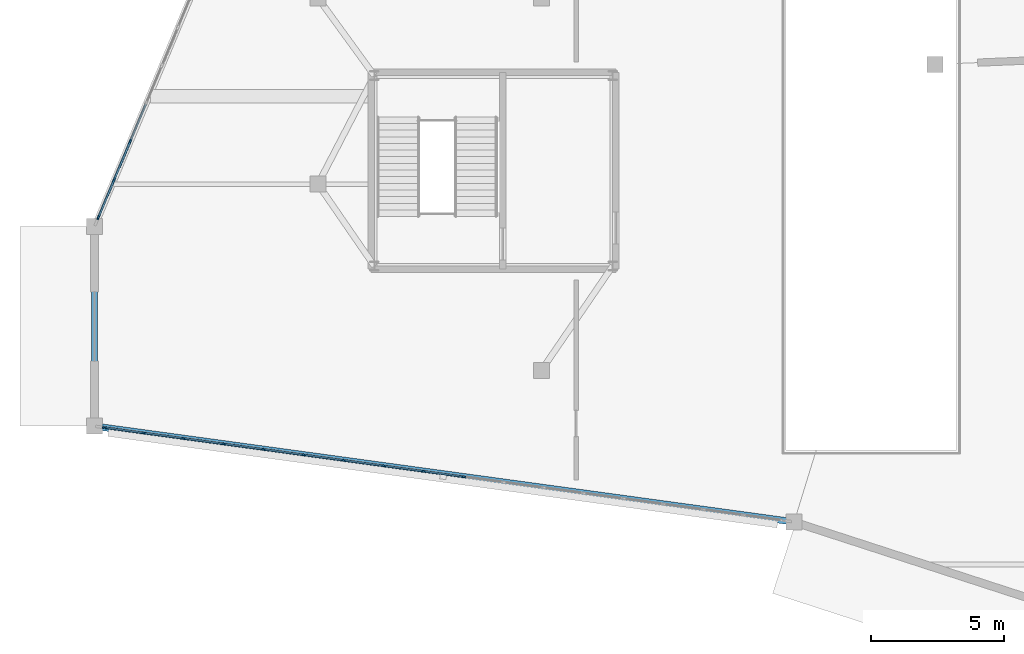
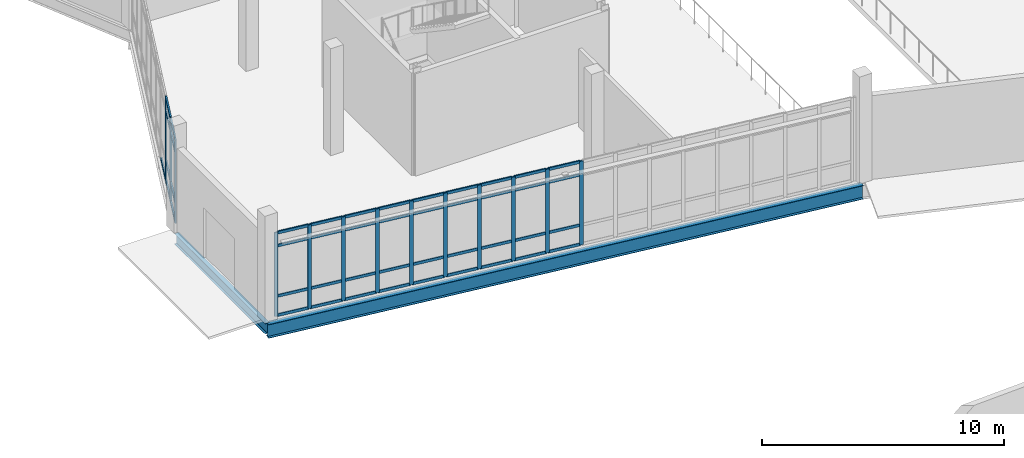
# One storey, part 43 of 113: 58 members, 2 beams, 2 elements without a shape of their own.
"""IFC4 building model written with IfcOpenShell, lengths in metres."""

from ifc_helpers import new_model, si_unit, direction, frame, origin, origin_2d, place, context, subcontext, project, spatial, rectangle, i_section, extrude, material, material_profile, profile_set, type_object, element, aggregate, save


model = new_model("IFC4")

# Units and contexts
model_context = context("Model", 3, precision=1e-05, world=origin(), true_north=direction((0.0, 1.0)))
body_context = subcontext(model_context, "Body", "Model", "MODEL_VIEW")
ifc_project = project(units=[si_unit("LENGTHUNIT", "METRE"), si_unit("AREAUNIT", "SQUARE_METRE"), si_unit("VOLUMEUNIT", "CUBIC_METRE"), si_unit("PLANEANGLEUNIT", "RADIAN"), si_unit("MASSUNIT", "GRAM", prefix="KILO")], contexts=[model_context])

# Site, building, storey
site_placement = place(None, origin())
site = spatial("IfcSite", under=ifc_project, at=site_placement, CompositionType="ELEMENT")
building_placement = place(site_placement, origin())
building = spatial("IfcBuilding", under=site, at=building_placement, Name="Tameran Prism Museum", CompositionType="ELEMENT")
storey_placement = place(building_placement, origin())
storey = spatial("IfcBuildingStorey", under=building, at=storey_placement, Name="L00", CompositionType="ELEMENT", Elevation=0.0)

# Beams
ifc_material_1 = material(Name="Steel Grade 300PLUS (300 MPa)", Category="steel")
ifc_material_profile_1 = material_profile(ifc_material_1, i_section(OverallWidth=0.208984375, OverallDepth=0.528076171875, WebThickness=0.009521484375, FlangeThickness=0.01318359375, FilletRadius=0.013916015625, at=origin_2d()))
ifc_profile_set_1 = profile_set([ifc_material_profile_1])
beam_type_1 = type_object("IfcBeamType", Name="BM-SP530B", PredefinedType="SPANDREL", material=ifc_profile_set_1)
beam_1_placement = place(storey_placement, frame((0.0, 75.39990234375, -0.52392578125), z_axis=(0.0, -1.0, 0.0), x_axis=(1.0, 0.0, 0.0)))
element("IfcBeam", 1, at=beam_1_placement, inside=storey, type_object=beam_type_1, Name="Perimeter Spandrel SP-0086", PredefinedType="SPANDREL", context=body_context, shape_type="SweptSolid", body=[
    extrude(i_section(OverallWidth=0.208984375, OverallDepth=0.528076171875, WebThickness=0.009521484375, FlangeThickness=0.01318359375, FilletRadius=0.013916015625, at=origin_2d()), origin(), (0.0, 0.0, 1.0), 7.5),
])
ifc_material_2 = material(Name="Steel Grade 350 (350 MPa)", Category="steel")
ifc_material_profile_2 = material_profile(ifc_material_2, i_section(OverallWidth=0.25, OverallDepth=0.699951171875, WebThickness=0.010009765625, FlangeThickness=0.02001953125, at=origin_2d()))
ifc_profile_set_2 = profile_set([ifc_material_profile_2])
beam_type_2 = type_object("IfcBeamType", Name="BM-SP700", PredefinedType="SPANDREL", material=ifc_profile_set_2)
beam_2_placement = place(storey_placement, frame((0.0, 67.89990234375, -0.610107421875), z_axis=(0.990762043415, -0.13561184804, 0.0), x_axis=(0.13561184804, 0.990762043415, 0.0)))
element("IfcBeam", 2, at=beam_2_placement, inside=storey, type_object=beam_type_2, Name="Perimeter Spandrel SP-0087", PredefinedType="SPANDREL", context=body_context, shape_type="SweptSolid", body=[
    extrude(i_section(OverallWidth=0.25, OverallDepth=0.699951171875, WebThickness=0.010009765625, FlangeThickness=0.02001953125, at=origin_2d()), origin(), (0.0, 0.0, 1.0), 26.545166015625),
])

# Curtain wall, members
ifc_material_3 = material(Name="Anodised Aluminium 6063-T6 and Cyclone Solar Glass", Category="aluminium")
curtain_wall_type_1 = type_object("IfcCurtainWallType", Name="CW-FAC-2579x422", PredefinedType="USERDEFINED", material=ifc_material_3)
curtain_wall_1_placement = place(storey_placement, origin())
curtain_wall_1 = element("IfcCurtainWall", 3, at=curtain_wall_1_placement, inside=storey, type_object=curtain_wall_type_1, Name="Unitised Curtain Wall CW-051", ObjectType="UNITISED CURTAIN WALL", PredefinedType="USERDEFINED")
ifc_material_4 = material(Name="Anodised Aluminium Alloy 6063-T6", Category="aluminium")
ifc_material_profile_3 = material_profile(ifc_material_4, rectangle(XDim=0.06494140625, YDim=0.159912109375, at=origin_2d()))
ifc_profile_set_3 = profile_set([ifc_material_profile_3])
member_type_1 = type_object("IfcMemberType", Name="CW-MUL-A", PredefinedType="MULLION", material=ifc_profile_set_3)
member_1_placement = place(storey_placement, frame((13.871826171875, 66.001220703125, 0.0), z_axis=(0.0, 0.0, 1.0), x_axis=(-0.135658330466, -0.990755679961, 0.0)))
member_1 = element("IfcMember", 4, at=member_1_placement, type_object=member_type_1, Name="CW-051 mullion 9", PredefinedType="MULLION", context=body_context, shape_type="SweptSolid", body=[
    extrude(rectangle(XDim=0.06494140625, YDim=0.159912109375, at=origin_2d()), origin(), (0.0, 0.0, 1.0), 4.219970703125),
])
member_2_placement = place(storey_placement, frame((12.369140625, 66.206787109375, 0.0), z_axis=(0.0, 0.0, 1.0), x_axis=(-0.135658330466, -0.990755679961, 0.0)))
member_2 = element("IfcMember", 5, at=member_2_placement, type_object=member_type_1, Name="CW-051 mullion 10", PredefinedType="MULLION", context=body_context, shape_type="SweptSolid", body=[
    extrude(rectangle(XDim=0.06494140625, YDim=0.159912109375, at=origin_2d()), origin(), (0.0, 0.0, 1.0), 4.219970703125),
])
member_3_placement = place(storey_placement, frame((10.866455078125, 66.41259765625, 0.0), z_axis=(0.0, 0.0, 1.0), x_axis=(-0.135658330466, -0.990755679961, 0.0)))
member_3 = element("IfcMember", 6, at=member_3_placement, type_object=member_type_1, Name="CW-051 mullion 11", PredefinedType="MULLION", context=body_context, shape_type="SweptSolid", body=[
    extrude(rectangle(XDim=0.06494140625, YDim=0.159912109375, at=origin_2d()), origin(), (0.0, 0.0, 1.0), 4.219970703125),
])
member_4_placement = place(storey_placement, frame((9.363525390625, 66.618408203125, 0.0), z_axis=(0.0, 0.0, 1.0), x_axis=(-0.135658330466, -0.990755679961, 0.0)))
member_4 = element("IfcMember", 7, at=member_4_placement, type_object=member_type_1, Name="CW-051 mullion 12", PredefinedType="MULLION", context=body_context, shape_type="SweptSolid", body=[
    extrude(rectangle(XDim=0.06494140625, YDim=0.159912109375, at=origin_2d()), origin(), (0.0, 0.0, 1.0), 4.219970703125),
])
member_5_placement = place(storey_placement, frame((7.86083984375, 66.82421875, 0.0), z_axis=(0.0, 0.0, 1.0), x_axis=(-0.135658330466, -0.990755679961, 0.0)))
member_5 = element("IfcMember", 8, at=member_5_placement, type_object=member_type_1, Name="CW-051 mullion 13", PredefinedType="MULLION", context=body_context, shape_type="SweptSolid", body=[
    extrude(rectangle(XDim=0.06494140625, YDim=0.159912109375, at=origin_2d()), origin(), (0.0, 0.0, 1.0), 4.219970703125),
])
member_6_placement = place(storey_placement, frame((6.358154296875, 67.030029296875, 0.0), z_axis=(0.0, 0.0, 1.0), x_axis=(-0.135658330466, -0.990755679961, 0.0)))
member_6 = element("IfcMember", 9, at=member_6_placement, type_object=member_type_1, Name="CW-051 mullion 14", PredefinedType="MULLION", context=body_context, shape_type="SweptSolid", body=[
    extrude(rectangle(XDim=0.06494140625, YDim=0.159912109375, at=origin_2d()), origin(), (0.0, 0.0, 1.0), 4.219970703125),
])
member_7_placement = place(storey_placement, frame((4.855224609375, 67.235595703125, 0.0), z_axis=(0.0, 0.0, 1.0), x_axis=(-0.135658330466, -0.990755679961, 0.0)))
member_7 = element("IfcMember", 10, at=member_7_placement, type_object=member_type_1, Name="CW-051 mullion 15", PredefinedType="MULLION", context=body_context, shape_type="SweptSolid", body=[
    extrude(rectangle(XDim=0.06494140625, YDim=0.159912109375, at=origin_2d()), origin(), (0.0, 0.0, 1.0), 4.219970703125),
])
member_8_placement = place(storey_placement, frame((3.3525390625, 67.44140625, 0.0), z_axis=(0.0, 0.0, 1.0), x_axis=(-0.135658330466, -0.990755679961, 0.0)))
member_8 = element("IfcMember", 11, at=member_8_placement, type_object=member_type_1, Name="CW-051 mullion 16", PredefinedType="MULLION", context=body_context, shape_type="SweptSolid", body=[
    extrude(rectangle(XDim=0.06494140625, YDim=0.159912109375, at=origin_2d()), origin(), (0.0, 0.0, 1.0), 4.219970703125),
])
member_9_placement = place(storey_placement, frame((1.849853515625, 67.647216796875, 0.0), z_axis=(0.0, 0.0, 1.0), x_axis=(-0.135658330466, -0.990755679961, 0.0)))
member_9 = element("IfcMember", 12, at=member_9_placement, type_object=member_type_1, Name="CW-051 mullion 17", PredefinedType="MULLION", context=body_context, shape_type="SweptSolid", body=[
    extrude(rectangle(XDim=0.06494140625, YDim=0.159912109375, at=origin_2d()), origin(), (0.0, 0.0, 1.0), 4.219970703125),
])
member_10_placement = place(storey_placement, frame((0.379150390625, 67.8486328125, 0.0), z_axis=(0.0, 0.0, 1.0), x_axis=(-0.135658330466, -0.990755679961, 0.0)))
member_10 = element("IfcMember", 13, at=member_10_placement, type_object=member_type_1, Name="CW-051 mullion 18", PredefinedType="MULLION", context=body_context, shape_type="SweptSolid", body=[
    extrude(rectangle(XDim=0.06494140625, YDim=0.159912109375, at=origin_2d()), origin(), (0.0, 0.0, 1.0), 4.219970703125),
])

ifc_material_5 = material(Name="Anodised Aluminium 6063-T6 and Cyclone Solar Glass", Category="aluminium")
curtain_wall_type_2 = type_object("IfcCurtainWallType", Name="CW-FAC-1399x422", PredefinedType="USERDEFINED", material=ifc_material_5)
curtain_wall_2_placement = place(storey_placement, origin())
curtain_wall_2 = element("IfcCurtainWall", 14, at=curtain_wall_2_placement, inside=storey, type_object=curtain_wall_type_2, Name="Unitised Curtain Wall CW-052", ObjectType="UNITISED CURTAIN WALL", PredefinedType="USERDEFINED")
ifc_material_6 = material(Name="Anodised Aluminium Alloy 6063-T6", Category="aluminium")
ifc_material_profile_4 = material_profile(ifc_material_6, rectangle(XDim=0.070068359375, YDim=0.179931640625, at=origin_2d()))
ifc_profile_set_4 = profile_set([ifc_material_profile_4])
member_type_2 = type_object("IfcMemberType", Name="CW-MUL-B", PredefinedType="MULLION", material=ifc_profile_set_4)
member_11_placement = place(storey_placement, frame((0.1484375, 75.75537109375, 0.0), z_axis=(0.0, 0.0, 1.0), x_axis=(-0.922251949595, 0.386589370609, 0.0)))
member_11 = element("IfcMember", 15, at=member_11_placement, type_object=member_type_2, Name="CW-052 mullion 1", PredefinedType="MULLION", context=body_context, shape_type="SweptSolid", body=[
    extrude(rectangle(XDim=0.070068359375, YDim=0.179931640625, at=origin_2d()), origin(), (0.0, 0.0, 1.0), 4.219970703125),
])
member_12_placement = place(storey_placement, frame((0.73583984375, 77.15625, 0.0), z_axis=(0.0, 0.0, 1.0), x_axis=(-0.922251949595, 0.386589370609, 0.0)))
member_12 = element("IfcMember", 16, at=member_12_placement, type_object=member_type_2, Name="CW-052 mullion 2", PredefinedType="MULLION", context=body_context, shape_type="SweptSolid", body=[
    extrude(rectangle(XDim=0.070068359375, YDim=0.179931640625, at=origin_2d()), origin(), (0.0, 0.0, 1.0), 4.219970703125),
])
member_13_placement = place(storey_placement, frame((1.336669921875, 78.58935546875, 0.0), z_axis=(0.0, 0.0, 1.0), x_axis=(-0.922251949595, 0.386589370609, 0.0)))
member_13 = element("IfcMember", 17, at=member_13_placement, type_object=member_type_2, Name="CW-052 mullion 3", PredefinedType="MULLION", context=body_context, shape_type="SweptSolid", body=[
    extrude(rectangle(XDim=0.070068359375, YDim=0.179931640625, at=origin_2d()), origin(), (0.0, 0.0, 1.0), 4.219970703125),
])

# Member
ifc_material_7 = material(Name="Anodised Aluminium Alloy 6063-T6", Category="aluminium")
ifc_material_profile_5 = material_profile(ifc_material_7, rectangle(XDim=0.06494140625, YDim=0.139892578125, at=origin_2d()))
ifc_profile_set_5 = profile_set([ifc_material_profile_5])
member_type_3 = type_object("IfcMemberType", Name="CW-TRN-A", PredefinedType="USERDEFINED", material=ifc_profile_set_5)
member_14_placement = place(storey_placement, frame((13.839599609375, 66.005615234375, 0.032470703125), z_axis=(-0.990769686746, 0.135555995165, 0.0), x_axis=(-0.135555995165, -0.990769686746, 0.0)))
member_14 = element("IfcMember", 18, at=member_14_placement, type_object=member_type_3, Name="CW-051 transom 9.1", ObjectType="TRANSOM", PredefinedType="USERDEFINED", context=body_context, shape_type="SweptSolid", body=[
    extrude(rectangle(XDim=0.06494140625, YDim=0.139892578125, at=origin_2d()), origin(), (0.0, 0.0, 1.0), 1.45166015625),
])

member_15_placement = place(storey_placement, frame((13.839599609375, 66.005615234375, 1.0), z_axis=(-0.990769686746, 0.135555995165, 0.0), x_axis=(-0.135555995165, -0.990769686746, 0.0)))
member_15 = element("IfcMember", 19, at=member_15_placement, type_object=member_type_3, Name="CW-051 transom 9.2", ObjectType="TRANSOM", PredefinedType="USERDEFINED", context=body_context, shape_type="SweptSolid", body=[
    extrude(rectangle(XDim=0.06494140625, YDim=0.139892578125, at=origin_2d()), origin(), (0.0, 0.0, 1.0), 1.45166015625),
])

member_16_placement = place(storey_placement, frame((13.839599609375, 66.005615234375, 3.5400390625), z_axis=(-0.990769686746, 0.135555995165, 0.0), x_axis=(-0.135555995165, -0.990769686746, 0.0)))
member_16 = element("IfcMember", 20, at=member_16_placement, type_object=member_type_3, Name="CW-051 transom 9.3", ObjectType="TRANSOM", PredefinedType="USERDEFINED", context=body_context, shape_type="SweptSolid", body=[
    extrude(rectangle(XDim=0.06494140625, YDim=0.139892578125, at=origin_2d()), origin(), (0.0, 0.0, 1.0), 1.45166015625),
])

member_17_placement = place(storey_placement, frame((13.839599609375, 66.005615234375, 4.1875), z_axis=(-0.990769686746, 0.135555995165, 0.0), x_axis=(-0.135555995165, -0.990769686746, 0.0)))
member_17 = element("IfcMember", 21, at=member_17_placement, type_object=member_type_3, Name="CW-051 transom 9.4", ObjectType="TRANSOM", PredefinedType="USERDEFINED", context=body_context, shape_type="SweptSolid", body=[
    extrude(rectangle(XDim=0.06494140625, YDim=0.139892578125, at=origin_2d()), origin(), (0.0, 0.0, 1.0), 1.45166015625),
])

member_18_placement = place(storey_placement, frame((12.3369140625, 66.211181640625, 0.032470703125), z_axis=(-0.990750182778, 0.135698472081, 0.0), x_axis=(-0.135698472081, -0.990750182778, 0.0)))
member_18 = element("IfcMember", 22, at=member_18_placement, type_object=member_type_3, Name="CW-051 transom 10.1", ObjectType="TRANSOM", PredefinedType="USERDEFINED", context=body_context, shape_type="SweptSolid", body=[
    extrude(rectangle(XDim=0.06494140625, YDim=0.139892578125, at=origin_2d()), origin(), (0.0, 0.0, 1.0), 1.451904296875),
])

member_19_placement = place(storey_placement, frame((12.3369140625, 66.211181640625, 1.0), z_axis=(-0.990750182778, 0.135698472081, 0.0), x_axis=(-0.135698472081, -0.990750182778, 0.0)))
member_19 = element("IfcMember", 23, at=member_19_placement, type_object=member_type_3, Name="CW-051 transom 10.2", ObjectType="TRANSOM", PredefinedType="USERDEFINED", context=body_context, shape_type="SweptSolid", body=[
    extrude(rectangle(XDim=0.06494140625, YDim=0.139892578125, at=origin_2d()), origin(), (0.0, 0.0, 1.0), 1.451904296875),
])

member_20_placement = place(storey_placement, frame((12.3369140625, 66.211181640625, 3.5400390625), z_axis=(-0.990750182778, 0.135698472081, 0.0), x_axis=(-0.135698472081, -0.990750182778, 0.0)))
member_20 = element("IfcMember", 24, at=member_20_placement, type_object=member_type_3, Name="CW-051 transom 10.3", ObjectType="TRANSOM", PredefinedType="USERDEFINED", context=body_context, shape_type="SweptSolid", body=[
    extrude(rectangle(XDim=0.06494140625, YDim=0.139892578125, at=origin_2d()), origin(), (0.0, 0.0, 1.0), 1.451904296875),
])

member_21_placement = place(storey_placement, frame((12.3369140625, 66.211181640625, 4.1875), z_axis=(-0.990750182778, 0.135698472081, 0.0), x_axis=(-0.135698472081, -0.990750182778, 0.0)))
member_21 = element("IfcMember", 25, at=member_21_placement, type_object=member_type_3, Name="CW-051 transom 10.4", ObjectType="TRANSOM", PredefinedType="USERDEFINED", context=body_context, shape_type="SweptSolid", body=[
    extrude(rectangle(XDim=0.06494140625, YDim=0.139892578125, at=origin_2d()), origin(), (0.0, 0.0, 1.0), 1.451904296875),
])

member_22_placement = place(storey_placement, frame((10.834228515625, 66.4169921875, 0.032470703125), z_axis=(-0.990750182778, 0.135698472081, 0.0), x_axis=(-0.135698472081, -0.990750182778, 0.0)))
member_22 = element("IfcMember", 26, at=member_22_placement, type_object=member_type_3, Name="CW-051 transom 11.1", ObjectType="TRANSOM", PredefinedType="USERDEFINED", context=body_context, shape_type="SweptSolid", body=[
    extrude(rectangle(XDim=0.06494140625, YDim=0.139892578125, at=origin_2d()), origin(), (0.0, 0.0, 1.0), 1.451904296875),
])

member_23_placement = place(storey_placement, frame((10.834228515625, 66.4169921875, 1.0), z_axis=(-0.990750182778, 0.135698472081, 0.0), x_axis=(-0.135698472081, -0.990750182778, 0.0)))
member_23 = element("IfcMember", 27, at=member_23_placement, type_object=member_type_3, Name="CW-051 transom 11.2", ObjectType="TRANSOM", PredefinedType="USERDEFINED", context=body_context, shape_type="SweptSolid", body=[
    extrude(rectangle(XDim=0.06494140625, YDim=0.139892578125, at=origin_2d()), origin(), (0.0, 0.0, 1.0), 1.451904296875),
])

member_24_placement = place(storey_placement, frame((10.834228515625, 66.4169921875, 3.5400390625), z_axis=(-0.990750182778, 0.135698472081, 0.0), x_axis=(-0.135698472081, -0.990750182778, 0.0)))
member_24 = element("IfcMember", 28, at=member_24_placement, type_object=member_type_3, Name="CW-051 transom 11.3", ObjectType="TRANSOM", PredefinedType="USERDEFINED", context=body_context, shape_type="SweptSolid", body=[
    extrude(rectangle(XDim=0.06494140625, YDim=0.139892578125, at=origin_2d()), origin(), (0.0, 0.0, 1.0), 1.451904296875),
])

member_25_placement = place(storey_placement, frame((10.834228515625, 66.4169921875, 4.1875), z_axis=(-0.990750182778, 0.135698472081, 0.0), x_axis=(-0.135698472081, -0.990750182778, 0.0)))
member_25 = element("IfcMember", 29, at=member_25_placement, type_object=member_type_3, Name="CW-051 transom 11.4", ObjectType="TRANSOM", PredefinedType="USERDEFINED", context=body_context, shape_type="SweptSolid", body=[
    extrude(rectangle(XDim=0.06494140625, YDim=0.139892578125, at=origin_2d()), origin(), (0.0, 0.0, 1.0), 1.451904296875),
])

member_26_placement = place(storey_placement, frame((9.331298828125, 66.622802734375, 0.032470703125), z_axis=(-0.990747085645, 0.135721082688, 0.0), x_axis=(-0.135721082688, -0.990747085645, 0.0)))
member_26 = element("IfcMember", 30, at=member_26_placement, type_object=member_type_3, Name="CW-051 transom 12.1", ObjectType="TRANSOM", PredefinedType="USERDEFINED", context=body_context, shape_type="SweptSolid", body=[
    extrude(rectangle(XDim=0.06494140625, YDim=0.139892578125, at=origin_2d()), origin(), (0.0, 0.0, 1.0), 1.45166015625),
])

member_27_placement = place(storey_placement, frame((9.331298828125, 66.622802734375, 1.0), z_axis=(-0.990747085645, 0.135721082688, 0.0), x_axis=(-0.135721082688, -0.990747085645, 0.0)))
member_27 = element("IfcMember", 31, at=member_27_placement, type_object=member_type_3, Name="CW-051 transom 12.2", ObjectType="TRANSOM", PredefinedType="USERDEFINED", context=body_context, shape_type="SweptSolid", body=[
    extrude(rectangle(XDim=0.06494140625, YDim=0.139892578125, at=origin_2d()), origin(), (0.0, 0.0, 1.0), 1.45166015625),
])

member_28_placement = place(storey_placement, frame((9.331298828125, 66.622802734375, 3.5400390625), z_axis=(-0.990747085645, 0.135721082688, 0.0), x_axis=(-0.135721082688, -0.990747085645, 0.0)))
member_28 = element("IfcMember", 32, at=member_28_placement, type_object=member_type_3, Name="CW-051 transom 12.3", ObjectType="TRANSOM", PredefinedType="USERDEFINED", context=body_context, shape_type="SweptSolid", body=[
    extrude(rectangle(XDim=0.06494140625, YDim=0.139892578125, at=origin_2d()), origin(), (0.0, 0.0, 1.0), 1.45166015625),
])

member_29_placement = place(storey_placement, frame((9.331298828125, 66.622802734375, 4.1875), z_axis=(-0.990747085645, 0.135721082688, 0.0), x_axis=(-0.135721082688, -0.990747085645, 0.0)))
member_29 = element("IfcMember", 33, at=member_29_placement, type_object=member_type_3, Name="CW-051 transom 12.4", ObjectType="TRANSOM", PredefinedType="USERDEFINED", context=body_context, shape_type="SweptSolid", body=[
    extrude(rectangle(XDim=0.06494140625, YDim=0.139892578125, at=origin_2d()), origin(), (0.0, 0.0, 1.0), 1.45166015625),
])

member_30_placement = place(storey_placement, frame((7.82861328125, 66.82861328125, 0.032470703125), z_axis=(-0.990750182778, 0.135698472081, 0.0), x_axis=(-0.135698472081, -0.990750182778, 0.0)))
member_30 = element("IfcMember", 34, at=member_30_placement, type_object=member_type_3, Name="CW-051 transom 13.1", ObjectType="TRANSOM", PredefinedType="USERDEFINED", context=body_context, shape_type="SweptSolid", body=[
    extrude(rectangle(XDim=0.06494140625, YDim=0.139892578125, at=origin_2d()), origin(), (0.0, 0.0, 1.0), 1.451904296875),
])

member_31_placement = place(storey_placement, frame((7.82861328125, 66.82861328125, 1.0), z_axis=(-0.990750182778, 0.135698472081, 0.0), x_axis=(-0.135698472081, -0.990750182778, 0.0)))
member_31 = element("IfcMember", 35, at=member_31_placement, type_object=member_type_3, Name="CW-051 transom 13.2", ObjectType="TRANSOM", PredefinedType="USERDEFINED", context=body_context, shape_type="SweptSolid", body=[
    extrude(rectangle(XDim=0.06494140625, YDim=0.139892578125, at=origin_2d()), origin(), (0.0, 0.0, 1.0), 1.451904296875),
])

member_32_placement = place(storey_placement, frame((7.82861328125, 66.82861328125, 3.5400390625), z_axis=(-0.990750182778, 0.135698472081, 0.0), x_axis=(-0.135698472081, -0.990750182778, 0.0)))
member_32 = element("IfcMember", 36, at=member_32_placement, type_object=member_type_3, Name="CW-051 transom 13.3", ObjectType="TRANSOM", PredefinedType="USERDEFINED", context=body_context, shape_type="SweptSolid", body=[
    extrude(rectangle(XDim=0.06494140625, YDim=0.139892578125, at=origin_2d()), origin(), (0.0, 0.0, 1.0), 1.451904296875),
])

member_33_placement = place(storey_placement, frame((7.82861328125, 66.82861328125, 4.1875), z_axis=(-0.990750182778, 0.135698472081, 0.0), x_axis=(-0.135698472081, -0.990750182778, 0.0)))
member_33 = element("IfcMember", 37, at=member_33_placement, type_object=member_type_3, Name="CW-051 transom 13.4", ObjectType="TRANSOM", PredefinedType="USERDEFINED", context=body_context, shape_type="SweptSolid", body=[
    extrude(rectangle(XDim=0.06494140625, YDim=0.139892578125, at=origin_2d()), origin(), (0.0, 0.0, 1.0), 1.451904296875),
])

member_34_placement = place(storey_placement, frame((6.325927734375, 67.034423828125, 0.032470703125), z_axis=(-0.99077277642, 0.135533411031, 0.0), x_axis=(-0.135533411031, -0.99077277642, 0.0)))
member_34 = element("IfcMember", 38, at=member_34_placement, type_object=member_type_3, Name="CW-051 transom 14.1", ObjectType="TRANSOM", PredefinedType="USERDEFINED", context=body_context, shape_type="SweptSolid", body=[
    extrude(rectangle(XDim=0.06494140625, YDim=0.139892578125, at=origin_2d()), origin(), (0.0, 0.0, 1.0), 1.451904296875),
])

member_35_placement = place(storey_placement, frame((6.325927734375, 67.034423828125, 1.0), z_axis=(-0.99077277642, 0.135533411031, 0.0), x_axis=(-0.135533411031, -0.99077277642, 0.0)))
member_35 = element("IfcMember", 39, at=member_35_placement, type_object=member_type_3, Name="CW-051 transom 14.2", ObjectType="TRANSOM", PredefinedType="USERDEFINED", context=body_context, shape_type="SweptSolid", body=[
    extrude(rectangle(XDim=0.06494140625, YDim=0.139892578125, at=origin_2d()), origin(), (0.0, 0.0, 1.0), 1.451904296875),
])

member_36_placement = place(storey_placement, frame((6.325927734375, 67.034423828125, 3.5400390625), z_axis=(-0.99077277642, 0.135533411031, 0.0), x_axis=(-0.135533411031, -0.99077277642, 0.0)))
member_36 = element("IfcMember", 40, at=member_36_placement, type_object=member_type_3, Name="CW-051 transom 14.3", ObjectType="TRANSOM", PredefinedType="USERDEFINED", context=body_context, shape_type="SweptSolid", body=[
    extrude(rectangle(XDim=0.06494140625, YDim=0.139892578125, at=origin_2d()), origin(), (0.0, 0.0, 1.0), 1.451904296875),
])

member_37_placement = place(storey_placement, frame((6.325927734375, 67.034423828125, 4.1875), z_axis=(-0.99077277642, 0.135533411031, 0.0), x_axis=(-0.135533411031, -0.99077277642, 0.0)))
member_37 = element("IfcMember", 41, at=member_37_placement, type_object=member_type_3, Name="CW-051 transom 14.4", ObjectType="TRANSOM", PredefinedType="USERDEFINED", context=body_context, shape_type="SweptSolid", body=[
    extrude(rectangle(XDim=0.06494140625, YDim=0.139892578125, at=origin_2d()), origin(), (0.0, 0.0, 1.0), 1.451904296875),
])

member_38_placement = place(storey_placement, frame((4.822998046875, 67.240234375, 0.032470703125), z_axis=(-0.990769686746, 0.135555995165, 0.0), x_axis=(-0.135555995165, -0.990769686746, 0.0)))
member_38 = element("IfcMember", 42, at=member_38_placement, type_object=member_type_3, Name="CW-051 transom 15.1", ObjectType="TRANSOM", PredefinedType="USERDEFINED", context=body_context, shape_type="SweptSolid", body=[
    extrude(rectangle(XDim=0.06494140625, YDim=0.139892578125, at=origin_2d()), origin(), (0.0, 0.0, 1.0), 1.45166015625),
])

member_39_placement = place(storey_placement, frame((4.822998046875, 67.240234375, 1.0), z_axis=(-0.990769686746, 0.135555995165, 0.0), x_axis=(-0.135555995165, -0.990769686746, 0.0)))
member_39 = element("IfcMember", 43, at=member_39_placement, type_object=member_type_3, Name="CW-051 transom 15.2", ObjectType="TRANSOM", PredefinedType="USERDEFINED", context=body_context, shape_type="SweptSolid", body=[
    extrude(rectangle(XDim=0.06494140625, YDim=0.139892578125, at=origin_2d()), origin(), (0.0, 0.0, 1.0), 1.45166015625),
])

member_40_placement = place(storey_placement, frame((4.822998046875, 67.240234375, 3.5400390625), z_axis=(-0.990769686746, 0.135555995165, 0.0), x_axis=(-0.135555995165, -0.990769686746, 0.0)))
member_40 = element("IfcMember", 44, at=member_40_placement, type_object=member_type_3, Name="CW-051 transom 15.3", ObjectType="TRANSOM", PredefinedType="USERDEFINED", context=body_context, shape_type="SweptSolid", body=[
    extrude(rectangle(XDim=0.06494140625, YDim=0.139892578125, at=origin_2d()), origin(), (0.0, 0.0, 1.0), 1.45166015625),
])

member_41_placement = place(storey_placement, frame((4.822998046875, 67.240234375, 4.1875), z_axis=(-0.990769686746, 0.135555995165, 0.0), x_axis=(-0.135555995165, -0.990769686746, 0.0)))
member_41 = element("IfcMember", 45, at=member_41_placement, type_object=member_type_3, Name="CW-051 transom 15.4", ObjectType="TRANSOM", PredefinedType="USERDEFINED", context=body_context, shape_type="SweptSolid", body=[
    extrude(rectangle(XDim=0.06494140625, YDim=0.139892578125, at=origin_2d()), origin(), (0.0, 0.0, 1.0), 1.45166015625),
])

member_42_placement = place(storey_placement, frame((3.3203125, 67.44580078125, 0.032470703125), z_axis=(-0.990747085645, 0.135721082688, 0.0), x_axis=(-0.135721082688, -0.990747085645, 0.0)))
member_42 = element("IfcMember", 46, at=member_42_placement, type_object=member_type_3, Name="CW-051 transom 16.1", ObjectType="TRANSOM", PredefinedType="USERDEFINED", context=body_context, shape_type="SweptSolid", body=[
    extrude(rectangle(XDim=0.06494140625, YDim=0.139892578125, at=origin_2d()), origin(), (0.0, 0.0, 1.0), 1.45166015625),
])

member_43_placement = place(storey_placement, frame((3.3203125, 67.44580078125, 1.0), z_axis=(-0.990747085645, 0.135721082688, 0.0), x_axis=(-0.135721082688, -0.990747085645, 0.0)))
member_43 = element("IfcMember", 47, at=member_43_placement, type_object=member_type_3, Name="CW-051 transom 16.2", ObjectType="TRANSOM", PredefinedType="USERDEFINED", context=body_context, shape_type="SweptSolid", body=[
    extrude(rectangle(XDim=0.06494140625, YDim=0.139892578125, at=origin_2d()), origin(), (0.0, 0.0, 1.0), 1.45166015625),
])

member_44_placement = place(storey_placement, frame((3.3203125, 67.44580078125, 3.5400390625), z_axis=(-0.990747085645, 0.135721082688, 0.0), x_axis=(-0.135721082688, -0.990747085645, 0.0)))
member_44 = element("IfcMember", 48, at=member_44_placement, type_object=member_type_3, Name="CW-051 transom 16.3", ObjectType="TRANSOM", PredefinedType="USERDEFINED", context=body_context, shape_type="SweptSolid", body=[
    extrude(rectangle(XDim=0.06494140625, YDim=0.139892578125, at=origin_2d()), origin(), (0.0, 0.0, 1.0), 1.45166015625),
])

member_45_placement = place(storey_placement, frame((3.3203125, 67.44580078125, 4.1875), z_axis=(-0.990747085645, 0.135721082688, 0.0), x_axis=(-0.135721082688, -0.990747085645, 0.0)))
member_45 = element("IfcMember", 49, at=member_45_placement, type_object=member_type_3, Name="CW-051 transom 16.4", ObjectType="TRANSOM", PredefinedType="USERDEFINED", context=body_context, shape_type="SweptSolid", body=[
    extrude(rectangle(XDim=0.06494140625, YDim=0.139892578125, at=origin_2d()), origin(), (0.0, 0.0, 1.0), 1.45166015625),
])

member_46_placement = place(storey_placement, frame((1.817626953125, 67.651611328125, 0.032470703125), z_axis=(-0.990748345882, 0.135711882795, 0.0), x_axis=(-0.135711882795, -0.990748345882, 0.0)))
member_46 = element("IfcMember", 50, at=member_46_placement, type_object=member_type_3, Name="CW-051 transom 17.1", ObjectType="TRANSOM", PredefinedType="USERDEFINED", context=body_context, shape_type="SweptSolid", body=[
    extrude(rectangle(XDim=0.06494140625, YDim=0.139892578125, at=origin_2d()), origin(), (0.0, 0.0, 1.0), 1.41943359375),
])

member_47_placement = place(storey_placement, frame((1.817626953125, 67.651611328125, 1.0), z_axis=(-0.990748345882, 0.135711882795, 0.0), x_axis=(-0.135711882795, -0.990748345882, 0.0)))
member_47 = element("IfcMember", 51, at=member_47_placement, type_object=member_type_3, Name="CW-051 transom 17.2", ObjectType="TRANSOM", PredefinedType="USERDEFINED", context=body_context, shape_type="SweptSolid", body=[
    extrude(rectangle(XDim=0.06494140625, YDim=0.139892578125, at=origin_2d()), origin(), (0.0, 0.0, 1.0), 1.41943359375),
])

member_48_placement = place(storey_placement, frame((1.817626953125, 67.651611328125, 3.5400390625), z_axis=(-0.990748345882, 0.135711882795, 0.0), x_axis=(-0.135711882795, -0.990748345882, 0.0)))
member_48 = element("IfcMember", 52, at=member_48_placement, type_object=member_type_3, Name="CW-051 transom 17.3", ObjectType="TRANSOM", PredefinedType="USERDEFINED", context=body_context, shape_type="SweptSolid", body=[
    extrude(rectangle(XDim=0.06494140625, YDim=0.139892578125, at=origin_2d()), origin(), (0.0, 0.0, 1.0), 1.41943359375),
])

member_49_placement = place(storey_placement, frame((1.817626953125, 67.651611328125, 4.1875), z_axis=(-0.990748345882, 0.135711882795, 0.0), x_axis=(-0.135711882795, -0.990748345882, 0.0)))
member_49 = element("IfcMember", 53, at=member_49_placement, type_object=member_type_3, Name="CW-051 transom 17.4", ObjectType="TRANSOM", PredefinedType="USERDEFINED", context=body_context, shape_type="SweptSolid", body=[
    extrude(rectangle(XDim=0.06494140625, YDim=0.139892578125, at=origin_2d()), origin(), (0.0, 0.0, 1.0), 1.41943359375),
])

aggregate(curtain_wall_1, [member_1, member_2, member_3, member_4, member_5, member_6, member_7, member_8, member_9, member_10, member_14, member_15, member_16, member_17, member_18, member_19, member_20, member_21, member_22, member_23, member_24, member_25, member_26, member_27, member_28, member_29, member_30, member_31, member_32, member_33, member_34, member_35, member_36, member_37, member_38, member_39, member_40, member_41, member_42, member_43, member_44, member_45, member_46, member_47, member_48, member_49])

ifc_material_8 = material(Name="Anodised Aluminium Alloy 6063-T6", Category="aluminium")
ifc_material_profile_6 = material_profile(ifc_material_8, rectangle(XDim=0.070068359375, YDim=0.155029296875, at=origin_2d()))
ifc_profile_set_6 = profile_set([ifc_material_profile_6])
member_type_4 = type_object("IfcMemberType", Name="CW-TRN-B", PredefinedType="USERDEFINED", material=ifc_profile_set_6)
member_50_placement = place(storey_placement, frame((0.162109375, 75.78759765625, 0.034912109375), z_axis=(0.386504801504, 0.922287394696, 0.0), x_axis=(-0.922287394696, 0.386504801504, 0.0)))
member_50 = element("IfcMember", 54, at=member_50_placement, type_object=member_type_4, Name="CW-052 transom 1.1", ObjectType="TRANSOM", PredefinedType="USERDEFINED", context=body_context, shape_type="SweptSolid", body=[
    extrude(rectangle(XDim=0.070068359375, YDim=0.155029296875, at=origin_2d()), origin(), (0.0, 0.0, 1.0), 1.448974609375),
])

member_51_placement = place(storey_placement, frame((0.162109375, 75.78759765625, 1.0), z_axis=(0.386504801504, 0.922287394696, 0.0), x_axis=(-0.922287394696, 0.386504801504, 0.0)))
member_51 = element("IfcMember", 55, at=member_51_placement, type_object=member_type_4, Name="CW-052 transom 1.2", ObjectType="TRANSOM", PredefinedType="USERDEFINED", context=body_context, shape_type="SweptSolid", body=[
    extrude(rectangle(XDim=0.070068359375, YDim=0.155029296875, at=origin_2d()), origin(), (0.0, 0.0, 1.0), 1.448974609375),
])

member_52_placement = place(storey_placement, frame((0.162109375, 75.78759765625, 3.5400390625), z_axis=(0.386504801504, 0.922287394696, 0.0), x_axis=(-0.922287394696, 0.386504801504, 0.0)))
member_52 = element("IfcMember", 56, at=member_52_placement, type_object=member_type_4, Name="CW-052 transom 1.3", ObjectType="TRANSOM", PredefinedType="USERDEFINED", context=body_context, shape_type="SweptSolid", body=[
    extrude(rectangle(XDim=0.070068359375, YDim=0.155029296875, at=origin_2d()), origin(), (0.0, 0.0, 1.0), 1.448974609375),
])

member_53_placement = place(storey_placement, frame((0.162109375, 75.78759765625, 4.18505859375), z_axis=(0.386504801504, 0.922287394696, 0.0), x_axis=(-0.922287394696, 0.386504801504, 0.0)))
member_53 = element("IfcMember", 57, at=member_53_placement, type_object=member_type_4, Name="CW-052 transom 1.4", ObjectType="TRANSOM", PredefinedType="USERDEFINED", context=body_context, shape_type="SweptSolid", body=[
    extrude(rectangle(XDim=0.070068359375, YDim=0.155029296875, at=origin_2d()), origin(), (0.0, 0.0, 1.0), 1.448974609375),
])

member_54_placement = place(storey_placement, frame((0.749267578125, 77.1884765625, 0.034912109375), z_axis=(0.386600305056, 0.92224736602, 0.0), x_axis=(-0.92224736602, 0.386600305056, 0.0)))
member_54 = element("IfcMember", 58, at=member_54_placement, type_object=member_type_4, Name="CW-052 transom 2.1", ObjectType="TRANSOM", PredefinedType="USERDEFINED", context=body_context, shape_type="SweptSolid", body=[
    extrude(rectangle(XDim=0.070068359375, YDim=0.155029296875, at=origin_2d()), origin(), (0.0, 0.0, 1.0), 1.484130859375),
])

member_55_placement = place(storey_placement, frame((0.749267578125, 77.1884765625, 1.0), z_axis=(0.386600305056, 0.92224736602, 0.0), x_axis=(-0.92224736602, 0.386600305056, 0.0)))
member_55 = element("IfcMember", 59, at=member_55_placement, type_object=member_type_4, Name="CW-052 transom 2.2", ObjectType="TRANSOM", PredefinedType="USERDEFINED", context=body_context, shape_type="SweptSolid", body=[
    extrude(rectangle(XDim=0.070068359375, YDim=0.155029296875, at=origin_2d()), origin(), (0.0, 0.0, 1.0), 1.484130859375),
])

member_56_placement = place(storey_placement, frame((0.749267578125, 77.1884765625, 3.5400390625), z_axis=(0.386600305056, 0.92224736602, 0.0), x_axis=(-0.92224736602, 0.386600305056, 0.0)))
member_56 = element("IfcMember", 60, at=member_56_placement, type_object=member_type_4, Name="CW-052 transom 2.3", ObjectType="TRANSOM", PredefinedType="USERDEFINED", context=body_context, shape_type="SweptSolid", body=[
    extrude(rectangle(XDim=0.070068359375, YDim=0.155029296875, at=origin_2d()), origin(), (0.0, 0.0, 1.0), 1.484130859375),
])

member_57_placement = place(storey_placement, frame((0.749267578125, 77.1884765625, 4.18505859375), z_axis=(0.386600305056, 0.92224736602, 0.0), x_axis=(-0.92224736602, 0.386600305056, 0.0)))
member_57 = element("IfcMember", 61, at=member_57_placement, type_object=member_type_4, Name="CW-052 transom 2.4", ObjectType="TRANSOM", PredefinedType="USERDEFINED", context=body_context, shape_type="SweptSolid", body=[
    extrude(rectangle(XDim=0.070068359375, YDim=0.155029296875, at=origin_2d()), origin(), (0.0, 0.0, 1.0), 1.484130859375),
])

member_58_placement = place(storey_placement, frame((1.35009765625, 78.621826171875, 0.034912109375), z_axis=(0.386600305056, 0.92224736602, 0.0), x_axis=(-0.92224736602, 0.386600305056, 0.0)))
member_58 = element("IfcMember", 62, at=member_58_placement, type_object=member_type_4, Name="CW-052 transom 3.1", ObjectType="TRANSOM", PredefinedType="USERDEFINED", context=body_context, shape_type="SweptSolid", body=[
    extrude(rectangle(XDim=0.070068359375, YDim=0.155029296875, at=origin_2d()), origin(), (0.0, 0.0, 1.0), 1.484130859375),
])

aggregate(curtain_wall_2, [member_11, member_12, member_13, member_50, member_51, member_52, member_53, member_54, member_55, member_56, member_57, member_58])

save(model, "model.ifc")
